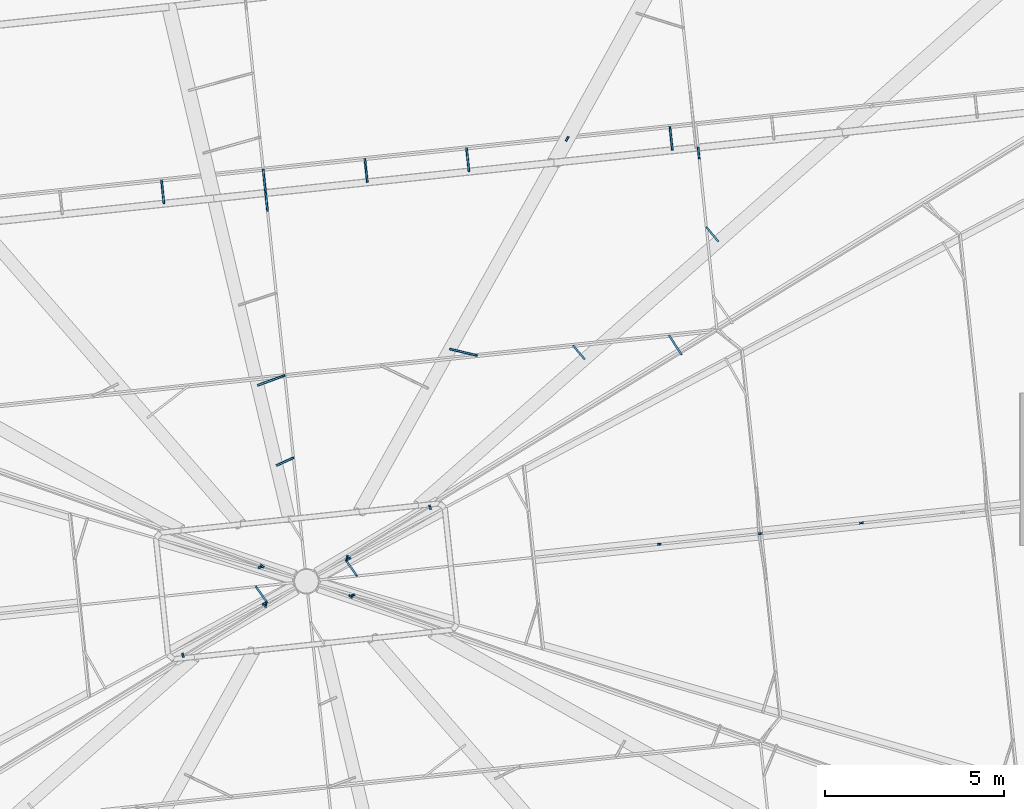
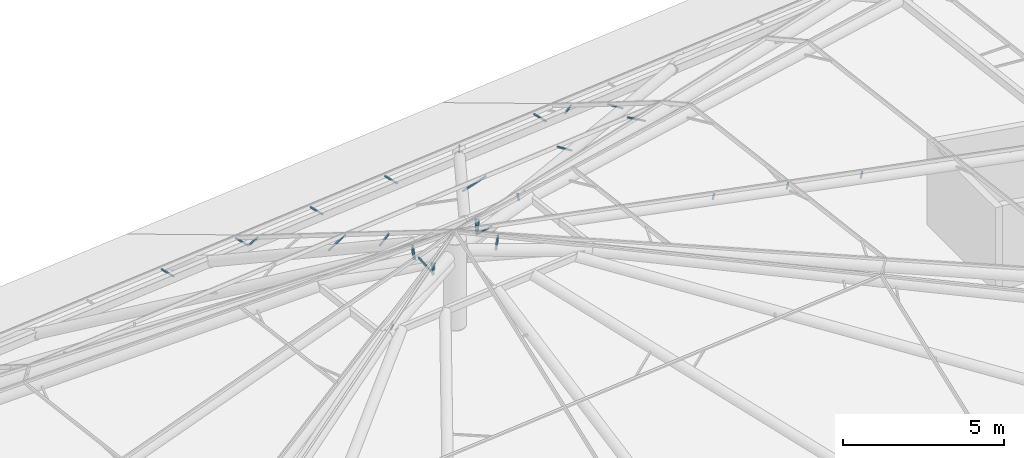
# One storey, part 15 of 20: 29 discrete accessories.
"""IFC4 building model written with IfcOpenShell, lengths in metres."""

from ifc_helpers import new_model, si_unit, direction, frame, origin, origin_2d, place, context, subcontext, project, spatial, rectangle, extrude, material, material_profile, profile_set, type_object, element, save


model = new_model("IFC4")

# Units and contexts
model_context = context("Model", 3, precision=1e-05, world=origin(), true_north=direction((0.0, 1.0)))
body_context = subcontext(model_context, "Body", "Model", "MODEL_VIEW")
ifc_project = project(units=[si_unit("LENGTHUNIT", "METRE"), si_unit("AREAUNIT", "SQUARE_METRE"), si_unit("VOLUMEUNIT", "CUBIC_METRE"), si_unit("PLANEANGLEUNIT", "RADIAN"), si_unit("MASSUNIT", "GRAM", prefix="KILO")], contexts=[model_context])

# Site, building, storey
site_placement = place(None, origin())
site = spatial("IfcSite", under=ifc_project, at=site_placement, CompositionType="ELEMENT")
building_placement = place(site_placement, origin())
building = spatial("IfcBuilding", under=site, at=building_placement, Name="Hakoniwa Tower and Hamabe Station Hall", CompositionType="ELEMENT")
storey_placement = place(building_placement, frame((0.0, 0.0, 285.0)))
storey = spatial("IfcBuildingStorey", under=building, at=storey_placement, Name="Roof", CompositionType="ELEMENT", Elevation=285.0)

# Discrete accessories
ifc_material = material(Name="Stainless steel SUS304", Category="steel")
ifc_material_profile = material_profile(ifc_material, rectangle(XDim=0.050048828125, YDim=0.050048828125, at=origin_2d()), Name="CW-4 GLAZING BRACKET 50X50")
ifc_profile_set = profile_set([ifc_material_profile], Name="Stainless steel SUS304")
discrete_accessory_type = type_object("IfcDiscreteAccessoryType", Name="CW-4 GLAZING BRACKET 50X50", PredefinedType="BRACKET", material=ifc_profile_set)
discrete_accessory_1_placement = place(storey_placement, frame((-1.086181640625, 12.833984375, 3.7998046875), z_axis=(-0.066296125931, 0.632169693714, -0.771988537503), x_axis=(-0.994546006011, -0.10429881077, 0.0)))
element("IfcDiscreteAccessory", 1, at=discrete_accessory_1_placement, inside=storey, type_object=discrete_accessory_type, Name="Glazing bracket", PredefinedType="BRACKET", context=body_context, shape_type="SweptSolid", body=[
    extrude(rectangle(XDim=0.050048828125, YDim=0.050048828125, at=origin_2d()), origin(), (0.0, 0.0, 1.0), 0.777099609375),
])
discrete_accessory_2_placement = place(storey_placement, frame((-0.603515625, 8.2412109375, 6.51025390625), z_axis=(-0.919967499166, -0.337123573888, -0.200018740141), x_axis=(0.344076650195, -0.938941563033, 0.0)))
element("IfcDiscreteAccessory", 2, at=discrete_accessory_2_placement, inside=storey, type_object=discrete_accessory_type, Name="Glazing bracket", PredefinedType="BRACKET", context=body_context, shape_type="SweptSolid", body=[
    extrude(rectangle(XDim=0.050048828125, YDim=0.050048828125, at=origin_2d()), origin(), (0.0, 0.0, 1.0), 0.82275390625),
])
discrete_accessory_3_placement = place(storey_placement, frame((-0.362060546875, 5.944580078125, 7.865478515625), z_axis=(-0.865365908469, -0.39184696629, -0.312406465151), x_axis=(0.412492841343, -0.910960842101, 0.0)))
element("IfcDiscreteAccessory", 3, at=discrete_accessory_3_placement, inside=storey, type_object=discrete_accessory_type, Name="Glazing bracket", PredefinedType="BRACKET", context=body_context, shape_type="SweptSolid", body=[
    extrude(rectangle(XDim=0.050048828125, YDim=0.050048828125, at=origin_2d()), origin(), (0.0, 0.0, 1.0), 0.547119140625),
])
discrete_accessory_4_placement = place(storey_placement, frame((10.94970703125, 14.291015625, 3.687744140625), z_axis=(-0.055273327849, 0.524671435119, -0.849508531092), x_axis=(-0.994496617459, -0.104768687415, 0.0)))
element("IfcDiscreteAccessory", 4, at=discrete_accessory_4_placement, inside=storey, type_object=discrete_accessory_type, Name="Glazing bracket", PredefinedType="BRACKET", context=body_context, shape_type="SweptSolid", body=[
    extrude(rectangle(XDim=0.050048828125, YDim=0.050048828125, at=origin_2d()), origin(), (0.0, 0.0, 1.0), 0.57421875),
])
discrete_accessory_5_placement = place(storey_placement, frame((11.1484375, 12.373779296875, 4.818359375), z_axis=(0.639482641983, -0.765145169884, -0.07493209997), x_axis=(0.767302334263, 0.641285527541, 0.0)))
element("IfcDiscreteAccessory", 5, at=discrete_accessory_5_placement, inside=storey, type_object=discrete_accessory_type, Name="Glazing bracket", PredefinedType="BRACKET", context=body_context, shape_type="SweptSolid", body=[
    extrude(rectangle(XDim=0.050048828125, YDim=0.050048828125, at=origin_2d()), origin(), (0.0, 0.0, 1.0), 0.524658203125),
])
discrete_accessory_6_placement = place(storey_placement, frame((1.144287109375, 3.200927734375, 9.54736328125), z_axis=(-0.046661719499, -0.19854104179, -0.978981173802), x_axis=(0.97347596985, -0.228789283237, 0.0)))
element("IfcDiscreteAccessory", 6, at=discrete_accessory_6_placement, inside=storey, type_object=discrete_accessory_type, Name="Glazing bracket", PredefinedType="BRACKET", context=body_context, shape_type="SweptSolid", body=[
    extrude(rectangle(XDim=0.050048828125, YDim=0.050048828125, at=origin_2d()), origin(), (0.0, 0.0, 1.0), 0.53369140625),
])
for number, where, z_axis, x_axis, name in (
    (7, (3.432861328125, 4.6025390625, 8.868896484375), (0.089323515867, -0.294297478595, -0.951530505872), (0.956895749636, 0.290431617302, 0.0), "Glazing bracket"),
    (8, (-3.432861328125, 0.3974609375, 8.868896484375), (-0.089323515867, 0.294297478595, -0.951530505872), (-0.956895749636, -0.290431617302, 0.0), "Glazing bracket"),
):
    element("IfcDiscreteAccessory", number, at=place(storey_placement, frame(where, z_axis=z_axis, x_axis=x_axis)), inside=storey, type_object=discrete_accessory_type, Name=name, PredefinedType="BRACKET", context=body_context, shape_type="SweptSolid", body=[
        extrude(rectangle(XDim=0.050048828125, YDim=0.050048828125, at=origin_2d()), origin(), (0.0, 0.0, 1.0), 0.259765625),
    ])
discrete_accessory_7_placement = place(storey_placement, frame((-1.144287109375, 1.799072265625, 9.54736328125), z_axis=(0.046661719499, 0.19854104179, -0.978981173802), x_axis=(-0.97347596985, 0.228789283237, 0.0)))
element("IfcDiscreteAccessory", 9, at=discrete_accessory_7_placement, inside=storey, type_object=discrete_accessory_type, Name="Glazing bracket", PredefinedType="BRACKET", context=body_context, shape_type="SweptSolid", body=[
    extrude(rectangle(XDim=0.050048828125, YDim=0.050048828125, at=origin_2d()), origin(), (0.0, 0.0, 1.0), 0.53369140625),
])
for number, where, z_axis, x_axis, name in (
    (10, (1.21435546875, 3.1455078125, 9.550048828125), (-0.120017401173, -0.063887589978, -0.99071398459), (0.469891265118, -0.882724305186, 0.0), "Glazing bracket"),
    (11, (-1.21435546875, 1.8544921875, 9.550048828125), (0.120017401173, 0.063887589978, -0.99071398459), (-0.469891265118, 0.882724305186, 0.0), "Glazing bracket"),
):
    element("IfcDiscreteAccessory", number, at=place(storey_placement, frame(where, z_axis=z_axis, x_axis=x_axis)), inside=storey, type_object=discrete_accessory_type, Name=name, PredefinedType="BRACKET", context=body_context, shape_type="SweptSolid", body=[
        extrude(rectangle(XDim=0.050048828125, YDim=0.050048828125, at=origin_2d()), origin(), (0.0, 0.0, 1.0), 0.534912109375),
    ])
for number, where, z_axis, x_axis, name in (
    (12, (1.264892578125, 2.052490234375, 9.54736328125), (-0.115488985506, 0.08972251862, -0.989248282222), (-0.613504895244, -0.789690916442, 0.0), "Glazing bracket"),
    (13, (-1.264892578125, 2.947509765625, 9.54736328125), (0.115488985506, -0.08972251862, -0.989248282222), (0.613504895244, 0.789690916442, 0.0), "Glazing bracket"),
):
    element("IfcDiscreteAccessory", number, at=place(storey_placement, frame(where, z_axis=z_axis, x_axis=x_axis)), inside=storey, type_object=discrete_accessory_type, Name=name, PredefinedType="BRACKET", context=body_context, shape_type="SweptSolid", body=[
        extrude(rectangle(XDim=0.050048828125, YDim=0.050048828125, at=origin_2d()), origin(), (0.0, 0.0, 1.0), 0.530517578125),
    ])
for number, where, z_axis, x_axis, name in (
    (14, (1.322021484375, 2.12109375, 9.550048828125), (-0.164058919686, -0.056946071296, -0.984805471063), (0.327914916745, -0.944707260148, 0.0), "Glazing bracket"),
    (15, (-1.322021484375, 2.87890625, 9.550048828125), (0.164058919686, 0.056946071296, -0.984805471063), (-0.327914916745, 0.944707260148, 0.0), "Glazing bracket"),
):
    element("IfcDiscreteAccessory", number, at=place(storey_placement, frame(where, z_axis=z_axis, x_axis=x_axis)), inside=storey, type_object=discrete_accessory_type, Name=name, PredefinedType="BRACKET", context=body_context, shape_type="SweptSolid", body=[
        extrude(rectangle(XDim=0.050048828125, YDim=0.050048828125, at=origin_2d()), origin(), (0.0, 0.0, 1.0), 0.540283203125),
    ])
discrete_accessory_8_placement = place(storey_placement, frame((1.4091796875, 2.648193359375, 9.521240234375), z_axis=(-0.424192577518, 0.600044563768, -0.678238290478), x_axis=(-0.816562652177, -0.577256818989, 0.0)))
element("IfcDiscreteAccessory", 16, at=discrete_accessory_8_placement, inside=storey, type_object=discrete_accessory_type, Name="Glazing bracket", PredefinedType="BRACKET", context=body_context, shape_type="SweptSolid", body=[
    extrude(rectangle(XDim=0.050048828125, YDim=0.050048828125, at=origin_2d()), origin(), (0.0, 0.0, 1.0), 0.7275390625),
])
discrete_accessory_9_placement = place(storey_placement, frame((9.8642578125, 3.536865234375, 7.25927734375), z_axis=(-0.258159399467, -0.027621993359, -0.965707383191), x_axis=(0.106388642832, -0.994324623388, 0.0)))
element("IfcDiscreteAccessory", 17, at=discrete_accessory_9_placement, inside=storey, type_object=discrete_accessory_type, Name="Glazing bracket", PredefinedType="BRACKET", context=body_context, shape_type="SweptSolid", body=[
    extrude(rectangle(XDim=0.050048828125, YDim=0.050048828125, at=origin_2d()), origin(), (0.0, 0.0, 1.0), 0.229736328125),
])
discrete_accessory_10_placement = place(storey_placement, frame((12.6826171875, 3.8330078125, 6.50537109375), z_axis=(-0.257634764563, -0.026687266449, -0.965873758779), x_axis=(0.103034353585, -0.994677798074, 0.0)))
element("IfcDiscreteAccessory", 18, at=discrete_accessory_10_placement, inside=storey, type_object=discrete_accessory_type, Name="Glazing bracket", PredefinedType="BRACKET", context=body_context, shape_type="SweptSolid", body=[
    extrude(rectangle(XDim=0.050048828125, YDim=0.050048828125, at=origin_2d()), origin(), (0.0, 0.0, 1.0), 0.23779296875),
])
discrete_accessory_11_placement = place(storey_placement, frame((15.5009765625, 4.129150390625, 5.75146484375), z_axis=(-0.258311894076, -0.026824696692, -0.965689080929), x_axis=(0.103290702639, -0.9946512106, 0.0)))
element("IfcDiscreteAccessory", 19, at=discrete_accessory_11_placement, inside=storey, type_object=discrete_accessory_type, Name="Glazing bracket", PredefinedType="BRACKET", context=body_context, shape_type="SweptSolid", body=[
    extrude(rectangle(XDim=0.050048828125, YDim=0.050048828125, at=origin_2d()), origin(), (0.0, 0.0, 1.0), 0.245849609375),
])
discrete_accessory_12_placement = place(storey_placement, frame((-1.4091796875, 2.351806640625, 9.521240234375), z_axis=(0.424192577518, -0.600044563768, -0.678238290478), x_axis=(0.816562652177, 0.577256818989, 0.0)))
element("IfcDiscreteAccessory", 20, at=discrete_accessory_12_placement, inside=storey, type_object=discrete_accessory_type, Name="Glazing bracket", PredefinedType="BRACKET", context=body_context, shape_type="SweptSolid", body=[
    extrude(rectangle(XDim=0.050048828125, YDim=0.050048828125, at=origin_2d()), origin(), (0.0, 0.0, 1.0), 0.7275390625),
])
discrete_accessory_13_placement = place(storey_placement, frame((-4.041748046875, 13.68896484375, 3.106689453125), z_axis=(0.10321691992, -0.984922017544, 0.138834026089), x_axis=(0.994553609452, 0.104226282319, 0.0)))
element("IfcDiscreteAccessory", 21, at=discrete_accessory_13_placement, inside=storey, type_object=discrete_accessory_type, Name="Glazing bracket", PredefinedType="BRACKET", context=body_context, shape_type="SweptSolid", body=[
    extrude(rectangle(XDim=0.050048828125, YDim=0.050048828125, at=origin_2d()), origin(), (0.0, 0.0, 1.0), 0.671630859375),
])
for number, where, z_axis, x_axis, name in (
    (22, (-1.207275390625, 13.987060546875, 3.106689453125), (0.103539407155, -0.984895904549, 0.138779135204), (0.994519514743, 0.104551110919, 0.0), "Glazing bracket"),
    (23, (1.62744140625, 14.284912109375, 3.106689453125), (0.103539407155, -0.984895904549, 0.138779135204), (0.994519514743, 0.104551110919, 0.0), "Glazing bracket"),
):
    element("IfcDiscreteAccessory", number, at=place(storey_placement, frame(where, z_axis=z_axis, x_axis=x_axis)), inside=storey, type_object=discrete_accessory_type, Name=name, PredefinedType="BRACKET", context=body_context, shape_type="SweptSolid", body=[
        extrude(rectangle(XDim=0.050048828125, YDim=0.050048828125, at=origin_2d()), origin(), (0.0, 0.0, 1.0), 0.672119140625),
    ])
discrete_accessory_14_placement = place(storey_placement, frame((4.4619140625, 14.582763671875, 3.106689453125), z_axis=(0.103576467532, -0.984885007061, 0.138828809113), x_axis=(0.994515502578, 0.104589268721, 0.0)))
element("IfcDiscreteAccessory", 24, at=discrete_accessory_14_placement, inside=storey, type_object=discrete_accessory_type, Name="Glazing bracket", PredefinedType="BRACKET", context=body_context, shape_type="SweptSolid", body=[
    extrude(rectangle(XDim=0.050048828125, YDim=0.050048828125, at=origin_2d()), origin(), (0.0, 0.0, 1.0), 0.671875),
])
discrete_accessory_15_placement = place(storey_placement, frame((7.296630859375, 14.880859375, 3.106689453125), z_axis=(-0.214415237632, -0.358954080857, -0.90839312729), x_axis=(0.858501274941, -0.512811428231, 0.0)))
element("IfcDiscreteAccessory", 25, at=discrete_accessory_15_placement, inside=storey, type_object=discrete_accessory_type, Name="Glazing bracket", PredefinedType="BRACKET", context=body_context, shape_type="SweptSolid", body=[
    extrude(rectangle(XDim=0.050048828125, YDim=0.050048828125, at=origin_2d()), origin(), (0.0, 0.0, 1.0), 0.255126953125),
])
discrete_accessory_16_placement = place(storey_placement, frame((10.131103515625, 15.1787109375, 3.106689453125), z_axis=(0.103539407155, -0.984895904549, 0.138779135204), x_axis=(0.994519514743, 0.104551110919, 0.0)))
element("IfcDiscreteAccessory", 26, at=discrete_accessory_16_placement, inside=storey, type_object=discrete_accessory_type, Name="Glazing bracket", PredefinedType="BRACKET", context=body_context, shape_type="SweptSolid", body=[
    extrude(rectangle(XDim=0.050048828125, YDim=0.050048828125, at=origin_2d()), origin(), (0.0, 0.0, 1.0), 0.672119140625),
])
discrete_accessory_17_placement = place(storey_placement, frame((4.75244140625, 8.79443359375, 6.5146484375), z_axis=(-0.848689075548, 0.203067347075, -0.488354897178), x_axis=(-0.232703242011, -0.972547788624, 0.0)))
element("IfcDiscreteAccessory", 27, at=discrete_accessory_17_placement, inside=storey, type_object=discrete_accessory_type, Name="Glazing bracket", PredefinedType="BRACKET", context=body_context, shape_type="SweptSolid", body=[
    extrude(rectangle(XDim=0.050048828125, YDim=0.050048828125, at=origin_2d()), origin(), (0.0, 0.0, 1.0), 0.884765625),
])
discrete_accessory_18_placement = place(storey_placement, frame((7.43017578125, 9.075927734375, 6.5146484375), z_axis=(0.643419148561, -0.762945702002, -0.062655048175), x_axis=(0.764447656396, 0.64468579993, 0.0)))
element("IfcDiscreteAccessory", 28, at=discrete_accessory_18_placement, inside=storey, type_object=discrete_accessory_type, Name="Glazing bracket", PredefinedType="BRACKET", context=body_context, shape_type="SweptSolid", body=[
    extrude(rectangle(XDim=0.050048828125, YDim=0.050048828125, at=origin_2d()), origin(), (0.0, 0.0, 1.0), 0.506591796875),
])
discrete_accessory_19_placement = place(storey_placement, frame((10.107666015625, 9.357421875, 6.5146484375), z_axis=(0.541522970777, -0.834847913282, 0.098903153691), x_axis=(0.838961287028, 0.544191105099, 0.0)))
element("IfcDiscreteAccessory", 29, at=discrete_accessory_19_placement, inside=storey, type_object=discrete_accessory_type, Name="Glazing bracket", PredefinedType="BRACKET", context=body_context, shape_type="SweptSolid", body=[
    extrude(rectangle(XDim=0.050048828125, YDim=0.050048828125, at=origin_2d()), origin(), (0.0, 0.0, 1.0), 0.649169921875),
])

save(model, "model.ifc")
